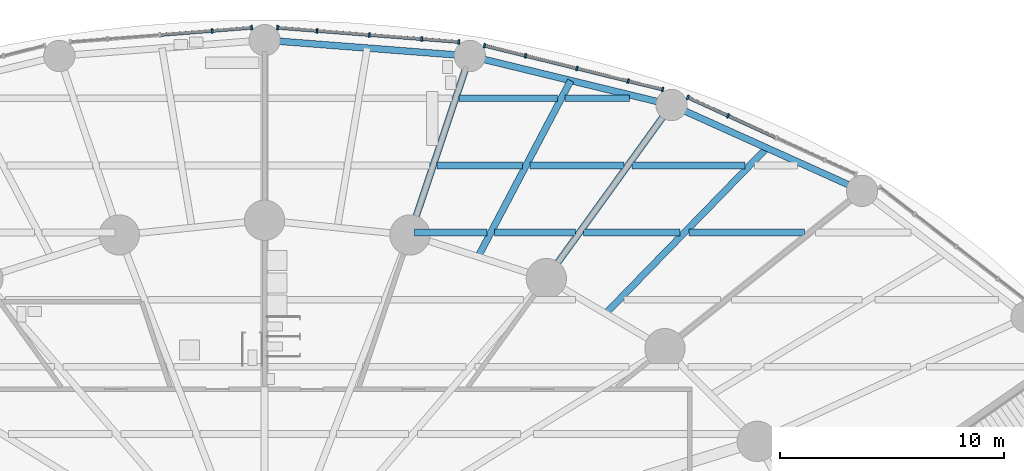
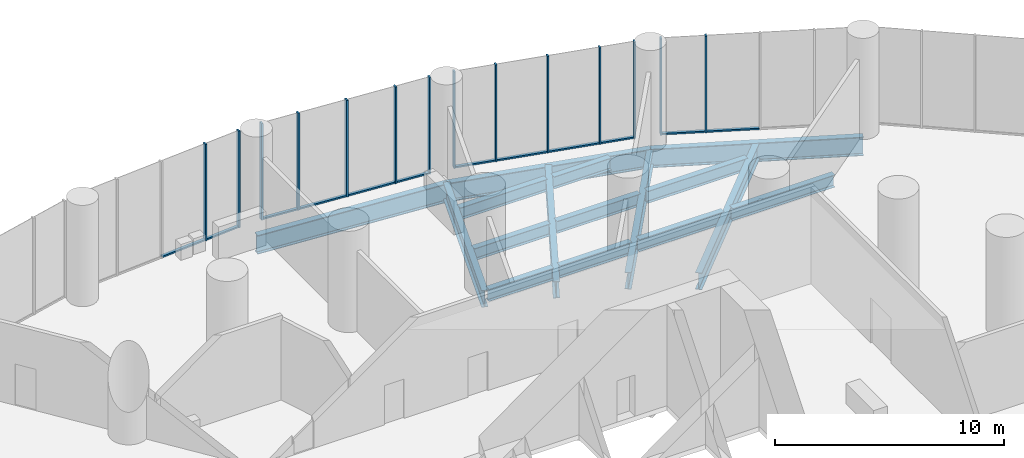
# One storey, part 10 of 23: 26 members, 16 beams, 4 elements without a shape of their own.
"""IFC4 building model written with IfcOpenShell, lengths in metres."""

from ifc_helpers import new_model, si_unit, direction, frame, origin, origin_2d, place, context, subcontext, project, spatial, rectangle, i_section, extrude, material, material_profile, profile_set, type_object, element, aggregate, save


model = new_model("IFC4")

# Units and contexts
model_context = context("Model", 3, precision=1e-05, world=origin(), true_north=direction((0.0, 1.0)))
body_context = subcontext(model_context, "Body", "Model", "MODEL_VIEW")
ifc_project = project(units=[si_unit("LENGTHUNIT", "METRE"), si_unit("AREAUNIT", "SQUARE_METRE"), si_unit("VOLUMEUNIT", "CUBIC_METRE"), si_unit("PLANEANGLEUNIT", "RADIAN"), si_unit("MASSUNIT", "GRAM", prefix="KILO")], contexts=[model_context])

# Site, building, storey
site_placement = place(None, origin())
site = spatial("IfcSite", under=ifc_project, at=site_placement, CompositionType="ELEMENT")
building_placement = place(site_placement, origin())
building = spatial("IfcBuilding", under=site, at=building_placement, Name="Hankou Lantern Tower", CompositionType="ELEMENT")
storey_placement = place(building_placement, frame((0.0, 0.0, 19.199951171875)))
storey = spatial("IfcBuildingStorey", under=building, at=storey_placement, Name="L03", CompositionType="ELEMENT", Elevation=19.199951171875)

# Curtain wall, members
ifc_material_1 = material(Name="Glass, dark grey tinted laminated", Category="glass")
curtain_wall_type = type_object("IfcCurtainWallType", Name="CWP PODIUM CURTAIN WALL", PredefinedType="USERDEFINED", material=ifc_material_1)
curtain_wall_1_placement = place(storey_placement, origin())
curtain_wall_1 = element("IfcCurtainWall", 1, at=curtain_wall_1_placement, inside=storey, type_object=curtain_wall_type, Name="CWP L03 PC02", ObjectType="PODIUM GLAZING", PredefinedType="USERDEFINED")
ifc_material_2 = material(Name="Aluminium, black anodised", Category="aluminium")
ifc_material_profile_1 = material_profile(ifc_material_2, rectangle(XDim=0.080078125, YDim=0.199951171875, at=origin_2d()), Name="MU2 80X200")
ifc_profile_set_1 = profile_set([ifc_material_profile_1], Name="Aluminium, black anodised")
member_type_1 = type_object("IfcMemberType", Name="MU2 PODIUM MULLION 80X200", PredefinedType="MULLION", material=ifc_profile_set_1)
member_1_placement = place(storey_placement, frame((20.711669921875, 24.717041015625, 0.0), z_axis=(0.0, 0.0, 1.0), x_axis=(-0.909669790944, 0.41533224224, 0.0)))
member_1 = element("IfcMember", 2, at=member_1_placement, type_object=member_type_1, Name="CWP mullion 4", PredefinedType="MULLION", context=body_context, shape_type="SweptSolid", body=[
    extrude(rectangle(XDim=0.080078125, YDim=0.199951171875, at=origin_2d()), origin(), (0.0, 0.0, 1.0), 5.150146484375),
])
member_2_placement = place(storey_placement, frame((18.913818359375, 25.537841796875, 0.0), z_axis=(0.0, 0.0, 1.0), x_axis=(-0.909669790944, 0.41533224224, 0.0)))
member_2 = element("IfcMember", 3, at=member_2_placement, type_object=member_type_1, Name="CWP mullion 5", PredefinedType="MULLION", context=body_context, shape_type="SweptSolid", body=[
    extrude(rectangle(XDim=0.080078125, YDim=0.199951171875, at=origin_2d()), origin(), (0.0, 0.0, 1.0), 5.150146484375),
])

curtain_wall_2_placement = place(storey_placement, origin())
curtain_wall_2 = element("IfcCurtainWall", 4, at=curtain_wall_2_placement, inside=storey, type_object=curtain_wall_type, Name="CWP L03 PC03", ObjectType="PODIUM GLAZING", PredefinedType="USERDEFINED")
member_3_placement = place(storey_placement, frame((17.785888671875, 25.892333984375, 0.0), z_axis=(0.0, 0.0, 1.0), x_axis=(-0.970960955091, 0.239238006364, 0.0)))
member_3 = element("IfcMember", 5, at=member_3_placement, type_object=member_type_1, Name="CWP mullion 1", PredefinedType="MULLION", context=body_context, shape_type="SweptSolid", body=[
    extrude(rectangle(XDim=0.080078125, YDim=0.199951171875, at=origin_2d()), origin(), (0.0, 0.0, 1.0), 5.150146484375),
])
member_4_placement = place(storey_placement, frame((16.25439453125, 26.26953125, 0.0), z_axis=(0.0, 0.0, 1.0), x_axis=(-0.970960955091, 0.239238006364, 0.0)))
member_4 = element("IfcMember", 6, at=member_4_placement, type_object=member_type_1, Name="CWP mullion 2", PredefinedType="MULLION", context=body_context, shape_type="SweptSolid", body=[
    extrude(rectangle(XDim=0.080078125, YDim=0.199951171875, at=origin_2d()), origin(), (0.0, 0.0, 1.0), 5.150146484375),
])
member_5_placement = place(storey_placement, frame((13.95849609375, 26.835205078125, 0.0), z_axis=(0.0, 0.0, 1.0), x_axis=(-0.970960955091, 0.239238006364, 0.0)))
member_5 = element("IfcMember", 7, at=member_5_placement, type_object=member_type_1, Name="CWP mullion 3", PredefinedType="MULLION", context=body_context, shape_type="SweptSolid", body=[
    extrude(rectangle(XDim=0.080078125, YDim=0.199951171875, at=origin_2d()), origin(), (0.0, 0.0, 1.0), 5.150146484375),
])
member_6_placement = place(storey_placement, frame((11.662841796875, 27.40087890625, 0.0), z_axis=(0.0, 0.0, 1.0), x_axis=(-0.970960955091, 0.239238006364, 0.0)))
member_6 = element("IfcMember", 8, at=member_6_placement, type_object=member_type_1, Name="CWP mullion 4", PredefinedType="MULLION", context=body_context, shape_type="SweptSolid", body=[
    extrude(rectangle(XDim=0.080078125, YDim=0.199951171875, at=origin_2d()), origin(), (0.0, 0.0, 1.0), 5.150146484375),
])
member_7_placement = place(storey_placement, frame((9.83056640625, 27.852294921875, 0.0), z_axis=(0.0, 0.0, 1.0), x_axis=(-0.970960955091, 0.239238006364, 0.0)))
member_7 = element("IfcMember", 9, at=member_7_placement, type_object=member_type_1, Name="CWP mullion 5", PredefinedType="MULLION", context=body_context, shape_type="SweptSolid", body=[
    extrude(rectangle(XDim=0.080078125, YDim=0.199951171875, at=origin_2d()), origin(), (0.0, 0.0, 1.0), 5.150146484375),
])

curtain_wall_3_placement = place(storey_placement, origin())
curtain_wall_3 = element("IfcCurtainWall", 10, at=curtain_wall_3_placement, inside=storey, type_object=curtain_wall_type, Name="CWP L03 PC04", ObjectType="PODIUM GLAZING", PredefinedType="USERDEFINED")
member_8_placement = place(storey_placement, frame((8.678955078125, 28.0205078125, 0.0), z_axis=(0.0, 0.0, 1.0), x_axis=(-0.996948515213, 0.078061885796, 0.0)))
member_8 = element("IfcMember", 11, at=member_8_placement, type_object=member_type_1, Name="CWP mullion 1", PredefinedType="MULLION", context=body_context, shape_type="SweptSolid", body=[
    extrude(rectangle(XDim=0.080078125, YDim=0.199951171875, at=origin_2d()), origin(), (0.0, 0.0, 1.0), 5.150146484375),
])
member_9_placement = place(storey_placement, frame((7.025146484375, 28.14990234375, 0.0), z_axis=(0.0, 0.0, 1.0), x_axis=(-0.996948515213, 0.078061885796, 0.0)))
member_9 = element("IfcMember", 12, at=member_9_placement, type_object=member_type_1, Name="CWP mullion 2", PredefinedType="MULLION", context=body_context, shape_type="SweptSolid", body=[
    extrude(rectangle(XDim=0.080078125, YDim=0.199951171875, at=origin_2d()), origin(), (0.0, 0.0, 1.0), 5.150146484375),
])
member_10_placement = place(storey_placement, frame((4.68359375, 28.333251953125, 0.0), z_axis=(0.0, 0.0, 1.0), x_axis=(-0.996948515213, 0.078061885796, 0.0)))
member_10 = element("IfcMember", 13, at=member_10_placement, type_object=member_type_1, Name="CWP mullion 3", PredefinedType="MULLION", context=body_context, shape_type="SweptSolid", body=[
    extrude(rectangle(XDim=0.080078125, YDim=0.199951171875, at=origin_2d()), origin(), (0.0, 0.0, 1.0), 5.150146484375),
])
member_11_placement = place(storey_placement, frame((2.341796875, 28.5166015625, 0.0), z_axis=(0.0, 0.0, 1.0), x_axis=(-0.996948515213, 0.078061885796, 0.0)))
member_11 = element("IfcMember", 14, at=member_11_placement, type_object=member_type_1, Name="CWP mullion 4", PredefinedType="MULLION", context=body_context, shape_type="SweptSolid", body=[
    extrude(rectangle(XDim=0.080078125, YDim=0.199951171875, at=origin_2d()), origin(), (0.0, 0.0, 1.0), 5.150146484375),
])
member_12_placement = place(storey_placement, frame((0.578857421875, 28.65478515625, 0.0), z_axis=(0.0, 0.0, 1.0), x_axis=(-0.996948515213, 0.078061885796, 0.0)))
member_12 = element("IfcMember", 15, at=member_12_placement, type_object=member_type_1, Name="CWP mullion 5", PredefinedType="MULLION", context=body_context, shape_type="SweptSolid", body=[
    extrude(rectangle(XDim=0.080078125, YDim=0.199951171875, at=origin_2d()), origin(), (0.0, 0.0, 1.0), 5.150146484375),
])

curtain_wall_4_placement = place(storey_placement, origin())
curtain_wall_4 = element("IfcCurtainWall", 16, at=curtain_wall_4_placement, inside=storey, type_object=curtain_wall_type, Name="CWP L03 PC05", ObjectType="PODIUM GLAZING", PredefinedType="USERDEFINED")
member_13_placement = place(storey_placement, frame((-0.578857421875, 28.65478515625, 0.0), z_axis=(0.0, 0.0, 1.0), x_axis=(-0.996948515213, -0.078061885796, 0.0)))
member_13 = element("IfcMember", 17, at=member_13_placement, type_object=member_type_1, Name="CWP mullion 1", PredefinedType="MULLION", context=body_context, shape_type="SweptSolid", body=[
    extrude(rectangle(XDim=0.080078125, YDim=0.199951171875, at=origin_2d()), origin(), (0.0, 0.0, 1.0), 5.150146484375),
])
member_14_placement = place(storey_placement, frame((-2.341796875, 28.5166015625, 0.0), z_axis=(0.0, 0.0, 1.0), x_axis=(-0.996948515213, -0.078061885796, 0.0)))
member_14 = element("IfcMember", 18, at=member_14_placement, type_object=member_type_1, Name="CWP mullion 2", PredefinedType="MULLION", context=body_context, shape_type="SweptSolid", body=[
    extrude(rectangle(XDim=0.080078125, YDim=0.199951171875, at=origin_2d()), origin(), (0.0, 0.0, 1.0), 5.150146484375),
])

# Beams
ifc_material_3 = material(Name="Steel Q355B", Category="steel")
ifc_material_profile_2 = material_profile(ifc_material_3, i_section(OverallWidth=0.300048828125, OverallDepth=0.89990234375, WebThickness=0.01611328125, FlangeThickness=0.028076171875, FilletRadius=0.01806640625, at=origin_2d()), Name="HN900x300x16x28")
ifc_profile_set_2 = profile_set([ifc_material_profile_2], Name="Steel Q355B")
beam_type_1 = type_object("IfcBeamType", Name="PB13 PODIUM RADIAL BEAM HN900x300x16x28", PredefinedType="BEAM", material=ifc_profile_set_2)
beam_1_placement = place(storey_placement, frame((12.5908203125, 17.446533203125, -0.699951171875), z_axis=(0.585207097055, 0.810883871807, 0.0), x_axis=(-0.810883871807, 0.585207097055, 0.0)))
element("IfcBeam", 19, at=beam_1_placement, inside=storey, type_object=beam_type_1, Name="Podium radial beam R05 L03", PredefinedType="BEAM", context=body_context, shape_type="SweptSolid", body=[
    extrude(i_section(OverallWidth=0.300048828125, OverallDepth=0.89990234375, WebThickness=0.01611328125, FlangeThickness=0.028076171875, FilletRadius=0.01806640625, at=origin_2d()), origin(), (0.0, 0.0, 1.0), 9.56103515625),
])
beam_2_placement = place(storey_placement, frame((6.494873046875, 19.391357421875, -0.699951171875), z_axis=(0.317599116391, 0.948225079434, 0.0), x_axis=(-0.948225079434, 0.317599116391, 0.0)))
element("IfcBeam", 20, at=beam_2_placement, inside=storey, type_object=beam_type_1, Name="Podium radial beam R06 L03", PredefinedType="BEAM", context=body_context, shape_type="SweptSolid", body=[
    extrude(i_section(OverallWidth=0.300048828125, OverallDepth=0.89990234375, WebThickness=0.01611328125, FlangeThickness=0.028076171875, FilletRadius=0.01806640625, at=origin_2d()), origin(), (0.0, 0.0, 1.0), 8.4365234375),
])
ifc_material_4 = material(Name="Steel Q355B", Category="steel")
ifc_material_profile_3 = material_profile(ifc_material_4, i_section(OverallWidth=0.300048828125, OverallDepth=1.0, WebThickness=0.01904296875, FlangeThickness=0.035888671875, FilletRadius=0.01806640625, at=origin_2d()), Name="HN1000x300x19x36")
ifc_profile_set_3 = profile_set([ifc_material_profile_3], Name="Steel Q355B")
beam_type_2 = type_object("IfcBeamType", Name="PR22 PODIUM RING BEAM HN1000x300x19x36", PredefinedType="BEAM", material=ifc_profile_set_3)
beam_3_placement = place(storey_placement, frame((26.7021484375, 21.361572265625, -0.75), z_axis=(-0.911695429723, 0.410866697874, 0.0), x_axis=(-0.410866697874, -0.911695429723, 0.0)))
element("IfcBeam", 21, at=beam_3_placement, inside=storey, type_object=beam_type_2, Name="Podium ring beam R04-R05 L03", PredefinedType="BEAM", context=body_context, shape_type="SweptSolid", body=[
    extrude(i_section(OverallWidth=0.300048828125, OverallDepth=1.0, WebThickness=0.01904296875, FlangeThickness=0.035888671875, FilletRadius=0.01806640625, at=origin_2d()), origin(), (0.0, 0.0, 1.0), 9.341064453125),
])
beam_4_placement = place(storey_placement, frame((18.18603515625, 25.199462890625, -0.75), z_axis=(-0.971677242441, 0.23631194748, 0.0), x_axis=(-0.23631194748, -0.971677242441, 0.0)))
element("IfcBeam", 22, at=beam_4_placement, inside=storey, type_object=beam_type_2, Name="Podium ring beam R05-R06 L03", PredefinedType="BEAM", context=body_context, shape_type="SweptSolid", body=[
    extrude(i_section(OverallWidth=0.300048828125, OverallDepth=1.0, WebThickness=0.01904296875, FlangeThickness=0.035888671875, FilletRadius=0.01806640625, at=origin_2d()), origin(), (0.0, 0.0, 1.0), 9.2744140625),
])
beam_5_placement = place(storey_placement, frame((9.17431640625, 27.39111328125, -0.75), z_axis=(-0.997027266507, 0.077049528499, 0.0), x_axis=(-0.077049528499, -0.997027266507, 0.0)))
element("IfcBeam", 23, at=beam_5_placement, inside=storey, type_object=beam_type_2, Name="Podium ring beam R06-R07 L03", PredefinedType="BEAM", context=body_context, shape_type="SweptSolid", body=[
    extrude(i_section(OverallWidth=0.300048828125, OverallDepth=1.0, WebThickness=0.01904296875, FlangeThickness=0.035888671875, FilletRadius=0.01806640625, at=origin_2d()), origin(), (0.0, 0.0, 1.0), 9.20166015625),
])
ifc_material_5 = material(Name="Steel Q355B", Category="steel")
ifc_material_profile_4 = material_profile(ifc_material_5, i_section(OverallWidth=0.300048828125, OverallDepth=0.89990234375, WebThickness=0.01611328125, FlangeThickness=0.028076171875, FilletRadius=0.01806640625, at=origin_2d()), Name="HN900x300x16x28")
ifc_profile_set_4 = profile_set([ifc_material_profile_4], Name="Steel Q355B")
beam_type_3 = type_object("IfcBeamType", Name="PS13 PODIUM SECONDARY BEAM HN900x300x16x28", PredefinedType="JOIST", material=ifc_profile_set_4)
beam_6_placement = place(storey_placement, frame((15.2412109375, 15.8798828125, -0.699951171875), z_axis=(0.697467529957, 0.716616385981, 0.0), x_axis=(-0.716616385981, 0.697467529957, 0.0)))
element("IfcBeam", 24, at=beam_6_placement, inside=storey, type_object=beam_type_3, Name="Podium secondary beam bay R04 L03", PredefinedType="JOIST", context=body_context, shape_type="SweptSolid", body=[
    extrude(i_section(OverallWidth=0.300048828125, OverallDepth=0.89990234375, WebThickness=0.01611328125, FlangeThickness=0.028076171875, FilletRadius=0.01806640625, at=origin_2d()), origin(), (0.0, 0.0, 1.0), 10.3271484375),
])
beam_7_placement = place(storey_placement, frame((9.54296875, 18.4189453125, -0.699951171875), z_axis=(0.465026961303, 0.88529651827, 0.0), x_axis=(-0.88529651827, 0.465026961303, 0.0)))
element("IfcBeam", 25, at=beam_7_placement, inside=storey, type_object=beam_type_3, Name="Podium secondary beam bay R05 L03", PredefinedType="JOIST", context=body_context, shape_type="SweptSolid", body=[
    extrude(i_section(OverallWidth=0.300048828125, OverallDepth=0.89990234375, WebThickness=0.01611328125, FlangeThickness=0.028076171875, FilletRadius=0.01806640625, at=origin_2d()), origin(), (0.0, 0.0, 1.0), 8.896728515625),
])
ifc_material_6 = material(Name="Steel Q355B", Category="steel")
ifc_material_profile_5 = material_profile(ifc_material_6, i_section(OverallWidth=0.300048828125, OverallDepth=0.64990234375, WebThickness=0.010986328125, FlangeThickness=0.01708984375, FilletRadius=0.01806640625, at=origin_2d()), Name="HN650x300x11x17")
ifc_profile_set_5 = profile_set([ifc_material_profile_5], Name="Steel Q355B")
beam_type_4 = type_object("IfcBeamType", Name="SB8 SECONDARY BEAM HN650x300x11x17", PredefinedType="JOIST", material=ifc_profile_set_5)
beam_8_placement = place(storey_placement, frame((6.689453125, 19.5, -0.574951171875), z_axis=(1.0, 0.0, 0.0), x_axis=(0.0, 1.0, 0.0)))
element("IfcBeam", 26, at=beam_8_placement, inside=storey, type_object=beam_type_4, Name="Floor joist J144 L03", PredefinedType="JOIST", context=body_context, shape_type="SweptSolid", body=[
    extrude(i_section(OverallWidth=0.300048828125, OverallDepth=0.64990234375, WebThickness=0.010986328125, FlangeThickness=0.01708984375, FilletRadius=0.01806640625, at=origin_2d()), origin(), (0.0, 0.0, 1.0), 3.251953125),
])
beam_9_placement = place(storey_placement, frame((10.2802734375, 19.5, -0.574951171875), z_axis=(1.0, 0.0, 0.0), x_axis=(0.0, 1.0, 0.0)))
element("IfcBeam", 27, at=beam_9_placement, inside=storey, type_object=beam_type_4, Name="Floor joist J145 L03", PredefinedType="JOIST", context=body_context, shape_type="SweptSolid", body=[
    extrude(i_section(OverallWidth=0.300048828125, OverallDepth=0.64990234375, WebThickness=0.010986328125, FlangeThickness=0.01708984375, FilletRadius=0.01806640625, at=origin_2d()), origin(), (0.0, 0.0, 1.0), 3.607666015625),
])
beam_10_placement = place(storey_placement, frame((14.2578125, 19.5, -0.574951171875), z_axis=(1.0, 0.0, 0.0), x_axis=(0.0, 1.0, 0.0)))
element("IfcBeam", 28, at=beam_10_placement, inside=storey, type_object=beam_type_4, Name="Floor joist J146 L03", PredefinedType="JOIST", context=body_context, shape_type="SweptSolid", body=[
    extrude(i_section(OverallWidth=0.300048828125, OverallDepth=0.64990234375, WebThickness=0.010986328125, FlangeThickness=0.01708984375, FilletRadius=0.01806640625, at=origin_2d()), origin(), (0.0, 0.0, 1.0), 4.29736328125),
])
beam_11_placement = place(storey_placement, frame((18.973876953125, 19.5, -0.574951171875), z_axis=(1.0, 0.0, 0.0), x_axis=(0.0, 1.0, 0.0)))
element("IfcBeam", 29, at=beam_11_placement, inside=storey, type_object=beam_type_4, Name="Floor joist J147 L03", PredefinedType="JOIST", context=body_context, shape_type="SweptSolid", body=[
    extrude(i_section(OverallWidth=0.300048828125, OverallDepth=0.64990234375, WebThickness=0.010986328125, FlangeThickness=0.01708984375, FilletRadius=0.01806640625, at=origin_2d()), origin(), (0.0, 0.0, 1.0), 5.160888671875),
])
beam_12_placement = place(storey_placement, frame((7.6943359375, 22.5, -0.574951171875), z_axis=(1.0, 0.0, 0.0), x_axis=(0.0, 1.0, 0.0)))
element("IfcBeam", 30, at=beam_12_placement, inside=storey, type_object=beam_type_4, Name="Floor joist J157 L03", PredefinedType="JOIST", context=body_context, shape_type="SweptSolid", body=[
    extrude(i_section(OverallWidth=0.300048828125, OverallDepth=0.64990234375, WebThickness=0.010986328125, FlangeThickness=0.01708984375, FilletRadius=0.01806640625, at=origin_2d()), origin(), (0.0, 0.0, 1.0), 3.82275390625),
])
beam_13_placement = place(storey_placement, frame((11.85595703125, 22.5, -0.574951171875), z_axis=(1.0, 0.0, 0.0), x_axis=(0.0, 1.0, 0.0)))
element("IfcBeam", 31, at=beam_13_placement, inside=storey, type_object=beam_type_4, Name="Floor joist J158 L03", PredefinedType="JOIST", context=body_context, shape_type="SweptSolid", body=[
    extrude(i_section(OverallWidth=0.300048828125, OverallDepth=0.64990234375, WebThickness=0.010986328125, FlangeThickness=0.01708984375, FilletRadius=0.01806640625, at=origin_2d()), origin(), (0.0, 0.0, 1.0), 4.197021484375),
])
beam_14_placement = place(storey_placement, frame((16.423095703125, 22.5, -0.574951171875), z_axis=(1.0, 0.0, 0.0), x_axis=(0.0, 1.0, 0.0)))
element("IfcBeam", 32, at=beam_14_placement, inside=storey, type_object=beam_type_4, Name="Floor joist J159 L03", PredefinedType="JOIST", context=body_context, shape_type="SweptSolid", body=[
    extrude(i_section(OverallWidth=0.300048828125, OverallDepth=0.64990234375, WebThickness=0.010986328125, FlangeThickness=0.01708984375, FilletRadius=0.01806640625, at=origin_2d()), origin(), (0.0, 0.0, 1.0), 5.052001953125),
])
beam_15_placement = place(storey_placement, frame((8.698974609375, 25.5, -0.574951171875), z_axis=(1.0, 0.0, 0.0), x_axis=(0.0, 1.0, 0.0)))
element("IfcBeam", 33, at=beam_15_placement, inside=storey, type_object=beam_type_4, Name="Floor joist J167 L03", PredefinedType="JOIST", context=body_context, shape_type="SweptSolid", body=[
    extrude(i_section(OverallWidth=0.300048828125, OverallDepth=0.64990234375, WebThickness=0.010986328125, FlangeThickness=0.01708984375, FilletRadius=0.01806640625, at=origin_2d()), origin(), (0.0, 0.0, 1.0), 4.39404296875),
])
beam_16_placement = place(storey_placement, frame((13.431884765625, 25.5, -0.574951171875), z_axis=(1.0, 0.0, 0.0), x_axis=(0.0, 1.0, 0.0)))
element("IfcBeam", 34, at=beam_16_placement, inside=storey, type_object=beam_type_4, Name="Floor joist J168 L03", PredefinedType="JOIST", context=body_context, shape_type="SweptSolid", body=[
    extrude(i_section(OverallWidth=0.300048828125, OverallDepth=0.64990234375, WebThickness=0.010986328125, FlangeThickness=0.01708984375, FilletRadius=0.01806640625, at=origin_2d()), origin(), (0.0, 0.0, 1.0), 2.883544921875),
])

# Member
ifc_material_7 = material(Name="Aluminium, black anodised", Category="aluminium")
ifc_material_profile_6 = material_profile(ifc_material_7, rectangle(XDim=0.14990234375, YDim=0.080078125, at=origin_2d()), Name="TR2 150X80")
ifc_profile_set_6 = profile_set([ifc_material_profile_6], Name="Aluminium, black anodised")
member_type_2 = type_object("IfcMemberType", Name="TR2 PODIUM TRANSOM 150X80", PredefinedType="USERDEFINED", material=ifc_profile_set_6)
member_15_placement = place(storey_placement, frame((22.836669921875, 23.746826171875, 0.0400390625), z_axis=(-0.909669664149, 0.415332519949, 0.0), x_axis=(-0.415332519949, -0.909669664149, 0.0)))
member_15 = element("IfcMember", 35, at=member_15_placement, type_object=member_type_2, Name="CWP transom 3", ObjectType="TRANSOM", PredefinedType="USERDEFINED", context=body_context, shape_type="SweptSolid", body=[
    extrude(rectangle(XDim=0.14990234375, YDim=0.080078125, at=origin_2d()), origin(), (0.0, 0.0, 1.0), 2.296142578125),
])

member_16_placement = place(storey_placement, frame((20.67529296875, 24.733642578125, 0.0400390625), z_axis=(-0.909677430468, 0.41531550958, 0.0), x_axis=(-0.41531550958, -0.909677430468, 0.0)))
member_16 = element("IfcMember", 36, at=member_16_placement, type_object=member_type_2, Name="CWP transom 4", ObjectType="TRANSOM", PredefinedType="USERDEFINED", context=body_context, shape_type="SweptSolid", body=[
    extrude(rectangle(XDim=0.14990234375, YDim=0.080078125, at=origin_2d()), origin(), (0.0, 0.0, 1.0), 1.896484375),
])

aggregate(curtain_wall_1, [member_1, member_2, member_15, member_16])

member_17_placement = place(storey_placement, frame((17.7470703125, 25.90185546875, 0.0400390625), z_axis=(-0.970971197991, 0.239196431142, 0.0), x_axis=(-0.239196431142, -0.970971197991, 0.0)))
member_17 = element("IfcMember", 37, at=member_17_placement, type_object=member_type_2, Name="CWP transom 1", ObjectType="TRANSOM", PredefinedType="USERDEFINED", context=body_context, shape_type="SweptSolid", body=[
    extrude(rectangle(XDim=0.14990234375, YDim=0.080078125, at=origin_2d()), origin(), (0.0, 0.0, 1.0), 1.497314453125),
])

member_18_placement = place(storey_placement, frame((16.215576171875, 26.279052734375, 0.0400390625), z_axis=(-0.970948059845, 0.239290336378, 0.0), x_axis=(-0.239290336378, -0.970948059845, 0.0)))
member_18 = element("IfcMember", 38, at=member_18_placement, type_object=member_type_2, Name="CWP transom 2", ObjectType="TRANSOM", PredefinedType="USERDEFINED", context=body_context, shape_type="SweptSolid", body=[
    extrude(rectangle(XDim=0.14990234375, YDim=0.080078125, at=origin_2d()), origin(), (0.0, 0.0, 1.0), 2.284423828125),
])

member_19_placement = place(storey_placement, frame((13.919677734375, 26.8447265625, 0.0400390625), z_axis=(-0.970948059845, 0.239290336378, 0.0), x_axis=(-0.239290336378, -0.970948059845, 0.0)))
member_19 = element("IfcMember", 39, at=member_19_placement, type_object=member_type_2, Name="CWP transom 3", ObjectType="TRANSOM", PredefinedType="USERDEFINED", context=body_context, shape_type="SweptSolid", body=[
    extrude(rectangle(XDim=0.14990234375, YDim=0.080078125, at=origin_2d()), origin(), (0.0, 0.0, 1.0), 2.284423828125),
])

member_20_placement = place(storey_placement, frame((11.6240234375, 27.410400390625, 0.0400390625), z_axis=(-0.970955515261, 0.23926008314, 0.0), x_axis=(-0.23926008314, -0.970955515261, 0.0)))
member_20 = element("IfcMember", 40, at=member_20_placement, type_object=member_type_2, Name="CWP transom 4", ObjectType="TRANSOM", PredefinedType="USERDEFINED", context=body_context, shape_type="SweptSolid", body=[
    extrude(rectangle(XDim=0.14990234375, YDim=0.080078125, at=origin_2d()), origin(), (0.0, 0.0, 1.0), 1.80712890625),
])

aggregate(curtain_wall_2, [member_3, member_4, member_5, member_6, member_7, member_17, member_18, member_19, member_20])

member_21_placement = place(storey_placement, frame((8.638916015625, 28.023681640625, 0.0400390625), z_axis=(-0.996957260436, 0.077950117788, 0.0), x_axis=(-0.077950117788, -0.996957260436, 0.0)))
member_21 = element("IfcMember", 41, at=member_21_placement, type_object=member_type_2, Name="CWP transom 1", ObjectType="TRANSOM", PredefinedType="USERDEFINED", context=body_context, shape_type="SweptSolid", body=[
    extrude(rectangle(XDim=0.14990234375, YDim=0.080078125, at=origin_2d()), origin(), (0.0, 0.0, 1.0), 1.57861328125),
])

member_22_placement = place(storey_placement, frame((6.9853515625, 28.153076171875, 0.0400390625), z_axis=(-0.996952341782, 0.078013000301, 0.0), x_axis=(-0.078013000301, -0.996952341782, 0.0)))
member_22 = element("IfcMember", 42, at=member_22_placement, type_object=member_type_2, Name="CWP transom 2", ObjectType="TRANSOM", PredefinedType="USERDEFINED", context=body_context, shape_type="SweptSolid", body=[
    extrude(rectangle(XDim=0.14990234375, YDim=0.080078125, at=origin_2d()), origin(), (0.0, 0.0, 1.0), 2.268798828125),
])

member_23_placement = place(storey_placement, frame((4.6435546875, 28.33642578125, 0.0400390625), z_axis=(-0.996952341782, 0.078013000301, 0.0), x_axis=(-0.078013000301, -0.996952341782, 0.0)))
member_23 = element("IfcMember", 43, at=member_23_placement, type_object=member_type_2, Name="CWP transom 3", ObjectType="TRANSOM", PredefinedType="USERDEFINED", context=body_context, shape_type="SweptSolid", body=[
    extrude(rectangle(XDim=0.14990234375, YDim=0.080078125, at=origin_2d()), origin(), (0.0, 0.0, 1.0), 2.268798828125),
])

member_24_placement = place(storey_placement, frame((2.3017578125, 28.519775390625, 0.0400390625), z_axis=(-0.996946329832, 0.078089790848, 0.0), x_axis=(-0.078089790848, -0.996946329832, 0.0)))
member_24 = element("IfcMember", 44, at=member_24_placement, type_object=member_type_2, Name="CWP transom 4", ObjectType="TRANSOM", PredefinedType="USERDEFINED", context=body_context, shape_type="SweptSolid", body=[
    extrude(rectangle(XDim=0.14990234375, YDim=0.080078125, at=origin_2d()), origin(), (0.0, 0.0, 1.0), 1.688232421875),
])

aggregate(curtain_wall_3, [member_8, member_9, member_10, member_11, member_12, member_21, member_22, member_23, member_24])

member_25_placement = place(storey_placement, frame((-0.61865234375, 28.651611328125, 0.0400390625), z_axis=(-0.996946329832, -0.078089790848, 0.0), x_axis=(0.078089790848, -0.996946329832, 0.0)))
member_25 = element("IfcMember", 45, at=member_25_placement, type_object=member_type_2, Name="CWP transom 1", ObjectType="TRANSOM", PredefinedType="USERDEFINED", context=body_context, shape_type="SweptSolid", body=[
    extrude(rectangle(XDim=0.14990234375, YDim=0.080078125, at=origin_2d()), origin(), (0.0, 0.0, 1.0), 1.688232421875),
])

member_26_placement = place(storey_placement, frame((-2.381591796875, 28.513427734375, 0.0400390625), z_axis=(-0.996952341782, -0.078013000301, 0.0), x_axis=(0.078013000301, -0.996952341782, 0.0)))
member_26 = element("IfcMember", 46, at=member_26_placement, type_object=member_type_2, Name="CWP transom 2", ObjectType="TRANSOM", PredefinedType="USERDEFINED", context=body_context, shape_type="SweptSolid", body=[
    extrude(rectangle(XDim=0.14990234375, YDim=0.080078125, at=origin_2d()), origin(), (0.0, 0.0, 1.0), 2.268798828125),
])

aggregate(curtain_wall_4, [member_13, member_14, member_25, member_26])

save(model, "model.ifc")
